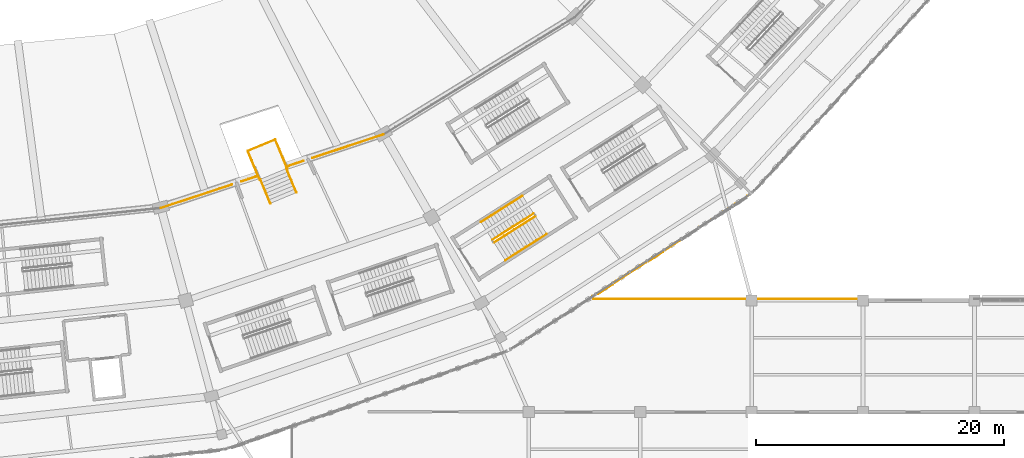
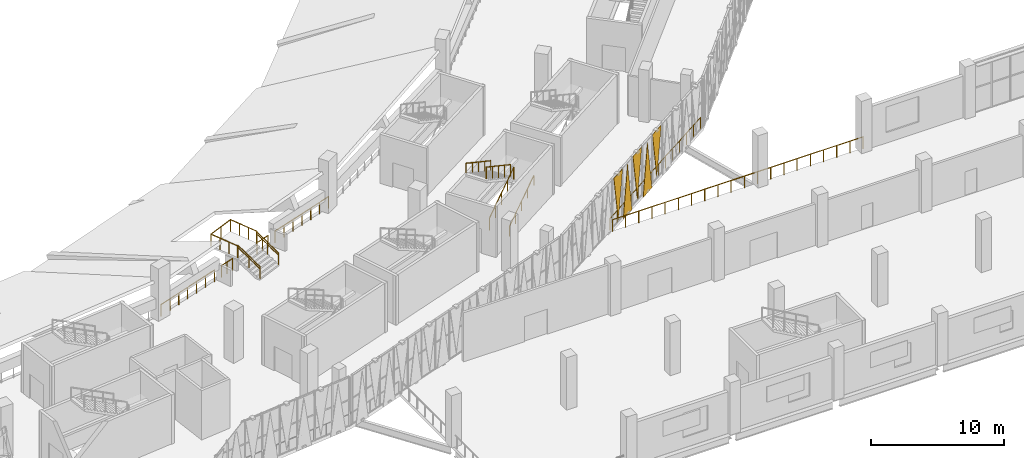
# One storey, part 146 of 183: 17 railings, 5 coverings.
"""IFC4 building model written with IfcOpenShell, lengths in metres."""

from ifc_helpers import new_model, si_unit, direction, frame, origin, origin_2d, place, context, subcontext, project, spatial, polyline, circle, outline, extrude, material, layer, layer_set, type_object, element, save


model = new_model("IFC4")

# Units and contexts
model_context = context("Model", 3, precision=1e-05, world=origin(), true_north=direction((0.0, 1.0)))
body_context = subcontext(model_context, "Body", "Model", "MODEL_VIEW")
ifc_project = project(units=[si_unit("LENGTHUNIT", "METRE"), si_unit("AREAUNIT", "SQUARE_METRE"), si_unit("VOLUMEUNIT", "CUBIC_METRE"), si_unit("PLANEANGLEUNIT", "RADIAN"), si_unit("MASSUNIT", "GRAM", prefix="KILO")], contexts=[model_context])

# Site, building, storey
site_placement = place(None, origin())
site = spatial("IfcSite", under=ifc_project, at=site_placement, CompositionType="ELEMENT")
building_placement = place(site_placement, origin())
building = spatial("IfcBuilding", under=site, at=building_placement, Name="Zevraka Park Crest Stadium", CompositionType="ELEMENT")
storey_placement = place(building_placement, frame((0.0, 0.0, 5.39990234375)))
storey = spatial("IfcBuildingStorey", under=building, at=storey_placement, Name="L01", CompositionType="ELEMENT", Elevation=5.39990234375)

# Coverings
ifc_material_1 = material(Name="Architectural golden-bronze perforated aluminium", Category="aluminium")
ifc_layer = layer(ifc_material_1, 0.034912109375)
ifc_layer_set = layer_set([ifc_layer], Name="Architectural golden-bronze perforated aluminium")
covering_type = type_object("IfcCoveringType", Name="CLD01", PredefinedType="CLADDING", material=ifc_layer_set)
covering_1_placement = place(storey_placement, frame((167.801025390625, 28.318115234375, 4.5), z_axis=(-0.543034219185, 0.839710563435, 8.0313977e-05), x_axis=(-0.839710566143, -0.543034220936, 0.0)))
element("IfcCovering", 1, at=covering_1_placement, inside=storey, type_object=covering_type, Name="Triangular Golden-Bronze Perforated Cladding L01-20-6", PredefinedType="CLADDING", context=body_context, shape_type="SweptSolid", body=[
    extrude(outline(polyline([(0.0, 0.0), (1.445868823232424, 0.0), (0.7225667544568017, -4.2797851700530245), (0.0, 0.0)])), origin(), (0.0, 0.0, -1.0), 0.034912109375),
])
covering_2_placement = place(storey_placement, frame((167.93603515625, 28.404052734375, -0.260009765625), z_axis=(0.542992141789, -0.83973776951, 0.000111418343), x_axis=(0.839737774722, 0.542992145159, 0.0)))
element("IfcCovering", 2, at=covering_2_placement, inside=storey, type_object=covering_type, Name="Triangular Golden-Bronze Perforated Cladding L01-20-7", PredefinedType="CLADDING", context=body_context, shape_type="SweptSolid", body=[
    extrude(outline(polyline([(0.0, 0.0), (1.4455312408705225, 1.3552527156068805e-20), (0.7230970365394844, 4.600097684802916), (0.0, 0.0)])), origin(), (0.0, 0.0, -1.0), 0.034912109375),
])
covering_3_placement = place(storey_placement, frame((170.498046875, 30.06005859375, 4.5), z_axis=(0.543034217573, -0.839710560943, 0.000111291399), x_axis=(-0.839710566143, -0.543034220936, 0.0)))
element("IfcCovering", 3, at=covering_3_placement, inside=storey, type_object=covering_type, Name="Triangular Golden-Bronze Perforated Cladding L01-20-8", PredefinedType="CLADDING", context=body_context, shape_type="SweptSolid", body=[
    extrude(outline(polyline([(0.0, 0.0), (1.445868823232424, 0.0), (0.7230970613131847, 4.27978518275423), (0.0, 0.0)])), origin(), (0.0, 0.0, -1.0), 0.034912109375),
])
covering_4_placement = place(storey_placement, frame((170.633056640625, 30.14599609375, -0.260009765625), z_axis=(-0.542992143946, 0.839737772846, 6.6851006e-05), x_axis=(0.839737774722, 0.542992145159, 0.0)))
element("IfcCovering", 4, at=covering_4_placement, inside=storey, type_object=covering_type, Name="Triangular Golden-Bronze Perforated Cladding L01-20-9", PredefinedType="CLADDING", context=body_context, shape_type="SweptSolid", body=[
    extrude(outline(polyline([(0.0, 0.0), (1.4455312408705225, 0.0), (0.7225667707727274, -4.6000976665290505), (0.0, 0.0)])), origin(), (0.0, 0.0, -1.0), 0.034912109375),
])
covering_5_placement = place(storey_placement, frame((173.195068359375, 31.802001953125, 4.5), z_axis=(0.54291514037, -0.839787556161, 0.000104279026), x_axis=(-0.839787560727, -0.542915143322, 0.0)))
element("IfcCovering", 5, at=covering_5_placement, inside=storey, type_object=covering_type, Name="Triangular Golden-Bronze Perforated Cladding L01-20-10", PredefinedType="CLADDING", context=body_context, shape_type="SweptSolid", body=[
    extrude(outline(polyline([(0.0, 0.0), (1.4457362610535034, 1.3552527156068805e-20), (0.7233020127627544, 4.279785179519439), (0.0, 0.0)])), origin(), (0.0, 0.0, -1.0), 0.034912109375),
])

# Railings
ifc_material_2 = material(Name="Galvanised and bronze-finished steel balustrade", Category="steel")
railing_type_1 = type_object("IfcRailingType", Name="GR01", PredefinedType="GUARDRAIL", material=ifc_material_2)
railing_1_placement = place(storey_placement, frame((178.674072265625, 35.424072265625, 0.0)))
element("IfcRailing", 6, at=railing_1_placement, inside=storey, type_object=railing_type_1, Name="Deck Edge Protection Guardrail GR01 L01-25", PredefinedType="GUARDRAIL", context=body_context, shape_type="SweptSolid", body=[
    extrude(circle(Radius=0.02392578125, at=origin_2d()), frame((0.0, 0.0, 1.076171875), z_axis=(-0.839998748488, -0.542588336162, 0.0), x_axis=(0.542588336162, -0.839998748488, 0.0)), (0.0, 0.0, 1.0), 14.891845703125),
    extrude(circle(Radius=0.02099609375, at=origin_2d()), origin(), (0.0, 0.0, 1.0), 1.052001953125),
    extrude(circle(Radius=0.02099609375, at=origin_2d()), frame((-0.962158203125, -0.62158203125, 0.0)), (0.0, 0.0, 1.0), 1.052001953125),
    extrude(circle(Radius=0.02099609375, at=origin_2d()), frame((-1.924560546875, -1.2431640625, 0.0)), (0.0, 0.0, 1.0), 1.052001953125),
    extrude(circle(Radius=0.02099609375, at=origin_2d()), frame((-2.88671875, -1.86474609375, 0.0)), (0.0, 0.0, 1.0), 1.052001953125),
    extrude(circle(Radius=0.02099609375, at=origin_2d()), frame((-3.848876953125, -2.486083984375, 0.0)), (0.0, 0.0, 1.0), 1.052001953125),
    extrude(circle(Radius=0.02099609375, at=origin_2d()), frame((-4.811279296875, -3.107666015625, 0.0)), (0.0, 0.0, 1.0), 1.052001953125),
    extrude(circle(Radius=0.02099609375, at=origin_2d()), frame((-5.7734375, -3.729248046875, 0.0)), (0.0, 0.0, 1.0), 1.052001953125),
    extrude(circle(Radius=0.02099609375, at=origin_2d()), frame((-6.735595703125, -4.350830078125, 0.0)), (0.0, 0.0, 1.0), 1.052001953125),
    extrude(circle(Radius=0.02099609375, at=origin_2d()), frame((-7.69775390625, -4.972412109375, 0.0)), (0.0, 0.0, 1.0), 1.052001953125),
    extrude(circle(Radius=0.02099609375, at=origin_2d()), frame((-8.66015625, -5.593994140625, 0.0)), (0.0, 0.0, 1.0), 1.052001953125),
    extrude(circle(Radius=0.02099609375, at=origin_2d()), frame((-9.622314453125, -6.21533203125, 0.0)), (0.0, 0.0, 1.0), 1.052001953125),
    extrude(circle(Radius=0.02099609375, at=origin_2d()), frame((-10.58447265625, -6.8369140625, 0.0)), (0.0, 0.0, 1.0), 1.052001953125),
    extrude(circle(Radius=0.02099609375, at=origin_2d()), frame((-11.546875, -7.45849609375, 0.0)), (0.0, 0.0, 1.0), 1.052001953125),
    extrude(circle(Radius=0.02099609375, at=origin_2d()), frame((-12.509033203125, -8.080078125, 0.0)), (0.0, 0.0, 1.0), 1.052001953125),
])
railing_2_placement = place(storey_placement, frame((166.236083984375, 27.10498046875, 0.0)))
element("IfcRailing", 7, at=railing_2_placement, inside=storey, type_object=railing_type_1, Name="Deck Edge Protection Guardrail GR01 L01-26", PredefinedType="GUARDRAIL", context=body_context, shape_type="SweptSolid", body=[
    extrude(circle(Radius=0.02392578125, at=origin_2d()), frame((0.0, 0.0, 1.076171875), z_axis=(1.0, 0.0, 0.0), x_axis=(0.0, 1.0, 0.0)), (0.0, 0.0, 1.0), 21.77294921875),
    extrude(circle(Radius=0.02099609375, at=origin_2d()), origin(), (0.0, 0.0, 1.0), 1.052001953125),
    extrude(circle(Radius=0.02099609375, at=origin_2d()), frame((1.14599609375, 0.0, 0.0)), (0.0, 0.0, 1.0), 1.052001953125),
    extrude(circle(Radius=0.02099609375, at=origin_2d()), frame((2.2919921875, 0.0, 0.0)), (0.0, 0.0, 1.0), 1.052001953125),
    extrude(circle(Radius=0.02099609375, at=origin_2d()), frame((3.437744140625, 0.0, 0.0)), (0.0, 0.0, 1.0), 1.052001953125),
    extrude(circle(Radius=0.02099609375, at=origin_2d()), frame((4.583740234375, 0.0, 0.0)), (0.0, 0.0, 1.0), 1.052001953125),
    extrude(circle(Radius=0.02099609375, at=origin_2d()), frame((5.729736328125, 0.0, 0.0)), (0.0, 0.0, 1.0), 1.052001953125),
    extrude(circle(Radius=0.02099609375, at=origin_2d()), frame((6.875732421875, 0.0, 0.0)), (0.0, 0.0, 1.0), 1.052001953125),
    extrude(circle(Radius=0.02099609375, at=origin_2d()), frame((8.021728515625, 0.0, 0.0)), (0.0, 0.0, 1.0), 1.052001953125),
    extrude(circle(Radius=0.02099609375, at=origin_2d()), frame((9.16748046875, 0.0, 0.0)), (0.0, 0.0, 1.0), 1.052001953125),
    extrude(circle(Radius=0.02099609375, at=origin_2d()), frame((10.3134765625, 0.0, 0.0)), (0.0, 0.0, 1.0), 1.052001953125),
    extrude(circle(Radius=0.02099609375, at=origin_2d()), frame((11.45947265625, 0.0, 0.0)), (0.0, 0.0, 1.0), 1.052001953125),
    extrude(circle(Radius=0.02099609375, at=origin_2d()), frame((12.60546875, 0.0, 0.0)), (0.0, 0.0, 1.0), 1.052001953125),
    extrude(circle(Radius=0.02099609375, at=origin_2d()), frame((13.751220703125, 0.0, 0.0)), (0.0, 0.0, 1.0), 1.052001953125),
    extrude(circle(Radius=0.02099609375, at=origin_2d()), frame((14.897216796875, 0.0, 0.0)), (0.0, 0.0, 1.0), 1.052001953125),
    extrude(circle(Radius=0.02099609375, at=origin_2d()), frame((16.043212890625, 0.0, 0.0)), (0.0, 0.0, 1.0), 1.052001953125),
    extrude(circle(Radius=0.02099609375, at=origin_2d()), frame((17.189208984375, 0.0, 0.0)), (0.0, 0.0, 1.0), 1.052001953125),
    extrude(circle(Radius=0.02099609375, at=origin_2d()), frame((18.335205078125, 0.0, 0.0)), (0.0, 0.0, 1.0), 1.052001953125),
    extrude(circle(Radius=0.02099609375, at=origin_2d()), frame((19.48095703125, 0.0, 0.0)), (0.0, 0.0, 1.0), 1.052001953125),
    extrude(circle(Radius=0.02099609375, at=origin_2d()), frame((20.626953125, 0.0, 0.0)), (0.0, 0.0, 1.0), 1.052001953125),
    extrude(circle(Radius=0.02099609375, at=origin_2d()), frame((21.77294921875, 0.0, 0.0)), (0.0, 0.0, 1.0), 1.052001953125),
])
railing_3_placement = place(storey_placement, frame((131.287109375, 34.45703125, 0.0)))
element("IfcRailing", 8, at=railing_3_placement, inside=storey, type_object=railing_type_1, Name="Deck Edge Protection Guardrail GR01 L01-65", PredefinedType="GUARDRAIL", context=body_context, shape_type="SweptSolid", body=[
    extrude(circle(Radius=0.02392578125, at=origin_2d()), frame((0.0, 0.0, 1.076171875), z_axis=(0.949481418616, 0.313823255517, 0.0), x_axis=(-0.313823255517, 0.949481418616, 0.0)), (0.0, 0.0, 1.0), 6.064208984375),
    extrude(circle(Radius=0.02099609375, at=origin_2d()), origin(), (0.0, 0.0, 1.0), 1.052001953125),
    extrude(circle(Radius=0.02099609375, at=origin_2d()), frame((0.959716796875, 0.317138671875, 0.0)), (0.0, 0.0, 1.0), 1.052001953125),
    extrude(circle(Radius=0.02099609375, at=origin_2d()), frame((1.919189453125, 0.63427734375, 0.0)), (0.0, 0.0, 1.0), 1.052001953125),
    extrude(circle(Radius=0.02099609375, at=origin_2d()), frame((2.87890625, 0.95166015625, 0.0)), (0.0, 0.0, 1.0), 1.052001953125),
    extrude(circle(Radius=0.02099609375, at=origin_2d()), frame((3.838623046875, 1.268798828125, 0.0)), (0.0, 0.0, 1.0), 1.052001953125),
    extrude(circle(Radius=0.02099609375, at=origin_2d()), frame((4.798095703125, 1.5859375, 0.0)), (0.0, 0.0, 1.0), 1.052001953125),
    extrude(circle(Radius=0.02099609375, at=origin_2d()), frame((5.7578125, 1.903076171875, 0.0)), (0.0, 0.0, 1.0), 1.052001953125),
])
railing_4_placement = place(storey_placement, frame((137.785888671875, 36.60498046875, 0.0)))
element("IfcRailing", 9, at=railing_4_placement, inside=storey, type_object=railing_type_1, Name="Deck Edge Protection Guardrail GR01 L01-66", PredefinedType="GUARDRAIL", context=body_context, shape_type="SweptSolid", body=[
    extrude(circle(Radius=0.02392578125, at=origin_2d()), frame((0.0, 0.0, 1.076171875), z_axis=(0.94950930185, 0.313738881397, 0.0), x_axis=(-0.313738881397, 0.94950930185, 0.0)), (0.0, 0.0, 1.0), 1.236572265625),
    extrude(circle(Radius=0.02099609375, at=origin_2d()), origin(), (0.0, 0.0, 1.0), 1.052001953125),
    extrude(circle(Radius=0.02099609375, at=origin_2d()), frame((0.5869140625, 0.19384765625, 0.0)), (0.0, 0.0, 1.0), 1.052001953125),
    extrude(circle(Radius=0.02099609375, at=origin_2d()), frame((1.174072265625, 0.387939453125, 0.0)), (0.0, 0.0, 1.0), 1.052001953125),
])
railing_5_placement = place(storey_placement, frame((141.625, 37.875, 0.0)))
element("IfcRailing", 10, at=railing_5_placement, inside=storey, type_object=railing_type_1, Name="Deck Edge Protection Guardrail GR01 L01-67", PredefinedType="GUARDRAIL", context=body_context, shape_type="SweptSolid", body=[
    extrude(circle(Radius=0.02392578125, at=origin_2d()), frame((0.0, 0.0, 1.076171875), z_axis=(0.94943147493, 0.313974321262, 0.0), x_axis=(-0.313974321262, 0.94943147493, 0.0)), (0.0, 0.0, 1.0), 1.235595703125),
    extrude(circle(Radius=0.02099609375, at=origin_2d()), origin(), (0.0, 0.0, 1.0), 1.052001953125),
    extrude(circle(Radius=0.02099609375, at=origin_2d()), frame((0.58642578125, 0.19384765625, 0.0)), (0.0, 0.0, 1.0), 1.052001953125),
    extrude(circle(Radius=0.02099609375, at=origin_2d()), frame((1.173095703125, 0.387939453125, 0.0)), (0.0, 0.0, 1.0), 1.052001953125),
])
railing_6_placement = place(storey_placement, frame((143.54296875, 38.509033203125, 0.0)))
element("IfcRailing", 11, at=railing_6_placement, inside=storey, type_object=railing_type_1, Name="Deck Edge Protection Guardrail GR01 L01-68", PredefinedType="GUARDRAIL", context=body_context, shape_type="SweptSolid", body=[
    extrude(circle(Radius=0.02392578125, at=origin_2d()), frame((0.0, 0.0, 1.076171875), z_axis=(0.949242415269, 0.314545445134, 0.0), x_axis=(-0.314545445134, 0.949242415269, 0.0)), (0.0, 0.0, 1.0), 6.053466796875),
    extrude(circle(Radius=0.02099609375, at=origin_2d()), origin(), (0.0, 0.0, 1.0), 1.052001953125),
    extrude(circle(Radius=0.02099609375, at=origin_2d()), frame((0.957763671875, 0.3173828125, 0.0)), (0.0, 0.0, 1.0), 1.052001953125),
    extrude(circle(Radius=0.02099609375, at=origin_2d()), frame((1.915283203125, 0.634765625, 0.0)), (0.0, 0.0, 1.0), 1.052001953125),
    extrude(circle(Radius=0.02099609375, at=origin_2d()), frame((2.873046875, 0.9521484375, 0.0)), (0.0, 0.0, 1.0), 1.052001953125),
    extrude(circle(Radius=0.02099609375, at=origin_2d()), frame((3.830810546875, 1.269287109375, 0.0)), (0.0, 0.0, 1.0), 1.052001953125),
    extrude(circle(Radius=0.02099609375, at=origin_2d()), frame((4.788330078125, 1.586669921875, 0.0)), (0.0, 0.0, 1.0), 1.052001953125),
    extrude(circle(Radius=0.02099609375, at=origin_2d()), frame((5.74609375, 1.904052734375, 0.0)), (0.0, 0.0, 1.0), 1.052001953125),
])
ifc_material_3 = material(Name="Powder-coated tubular steel stairwell guard", Category="steel")
railing_type_2 = type_object("IfcRailingType", Name="GR03", PredefinedType="GUARDRAIL", material=ifc_material_3)
railing_7_placement = place(storey_placement, frame((158.194580078125, 31.675048828125, 0.171630859375)))
element("IfcRailing", 12, at=railing_7_placement, inside=storey, type_object=railing_type_2, Name="L01 ST21 stair guard 1", PredefinedType="GUARDRAIL", context=body_context, shape_type="SweptSolid", body=[
    extrude(circle(Radius=0.02392578125, at=origin_2d()), frame((0.0, 0.0, 1.076171875), z_axis=(0.736092217986, 0.467002282249, 0.489976647398), x_axis=(-0.535715535947, 0.844398522349, 0.0)), (0.0, 0.0, 1.0), 4.548095703125),
    extrude(circle(Radius=0.02099609375, at=origin_2d()), origin(), (0.0, 0.0, 1.0), 1.052001953125),
    extrude(circle(Radius=0.02099609375, at=origin_2d()), frame((0.8369140625, 0.531005859375, 0.55712890625)), (0.0, 0.0, 1.0), 1.052001953125),
    extrude(circle(Radius=0.02099609375, at=origin_2d()), frame((1.673828125, 1.06201171875, 1.1142578125)), (0.0, 0.0, 1.0), 1.052001953125),
    extrude(circle(Radius=0.02099609375, at=origin_2d()), frame((2.510986328125, 1.593017578125, 1.67138671875)), (0.0, 0.0, 1.0), 1.052001953125),
    extrude(circle(Radius=0.02099609375, at=origin_2d()), frame((3.347900390625, 2.1240234375, 2.228515625)), (0.0, 0.0, 1.0), 1.052001953125),
])
railing_8_placement = place(storey_placement, frame((161.4033203125, 34.0185546875, 2.571533203125)))
element("IfcRailing", 13, at=railing_8_placement, inside=storey, type_object=railing_type_2, Name="L01 ST21 stair guard 3", PredefinedType="GUARDRAIL", context=body_context, shape_type="SweptSolid", body=[
    extrude(circle(Radius=0.02392578125, at=origin_2d()), frame((0.0, 0.0, 1.076171875), z_axis=(-0.736116810277, -0.466983830349, 0.48995728775), x_axis=(0.535687682518, -0.84441619288, 0.0)), (0.0, 0.0, 1.0), 4.54833984375),
    extrude(circle(Radius=0.02099609375, at=origin_2d()), origin(), (0.0, 0.0, 1.0), 1.052001953125),
    extrude(circle(Radius=0.02099609375, at=origin_2d()), frame((-0.8369140625, -0.531005859375, 0.55712890625)), (0.0, 0.0, 1.0), 1.052001953125),
    extrude(circle(Radius=0.02099609375, at=origin_2d()), frame((-1.674072265625, -1.06201171875, 1.1142578125)), (0.0, 0.0, 1.0), 1.052001953125),
    extrude(circle(Radius=0.02099609375, at=origin_2d()), frame((-2.51123046875, -1.593017578125, 1.67138671875)), (0.0, 0.0, 1.0), 1.052001953125),
    extrude(circle(Radius=0.02099609375, at=origin_2d()), frame((-3.34814453125, -2.1240234375, 2.228515625)), (0.0, 0.0, 1.0), 1.052001953125),
])
railing_9_placement = place(storey_placement, frame((142.237060546875, 35.718017578125, 0.150146484375)))
element("IfcRailing", 14, at=railing_9_placement, inside=storey, type_object=railing_type_2, Name="Vomitory Flight Guard VS-07-1", PredefinedType="GUARDRAIL", context=body_context, shape_type="SweptSolid", body=[
    extrude(circle(Radius=0.02392578125, at=origin_2d()), frame((0.0, 0.0, 1.076171875), z_axis=(-0.342057079019, 0.826386606837, 0.447305411025), x_axis=(-0.923975744762, -0.382451072807, 0.0)), (0.0, 0.0, 1.0), 2.347412109375),
    extrude(circle(Radius=0.02099609375, at=origin_2d()), origin(), (0.0, 0.0, 1.0), 1.052001953125),
    extrude(circle(Radius=0.02099609375, at=origin_2d()), frame((-0.4013671875, 0.969970703125, 0.52490234375)), (0.0, 0.0, 1.0), 1.052001953125),
    extrude(circle(Radius=0.02099609375, at=origin_2d()), frame((-0.802978515625, 1.93994140625, 1.050048828125)), (0.0, 0.0, 1.0), 1.052001953125),
])
railing_10_placement = place(storey_placement, frame((140.131103515625, 34.845947265625, 0.150146484375)))
element("IfcRailing", 15, at=railing_10_placement, inside=storey, type_object=railing_type_2, Name="Vomitory Flight Guard VS-07-2", PredefinedType="GUARDRAIL", context=body_context, shape_type="SweptSolid", body=[
    extrude(circle(Radius=0.02392578125, at=origin_2d()), frame((0.0, 0.0, 1.076171875), z_axis=(-0.342516116352, 0.826239544789, 0.447225809481), x_axis=(-0.92377020137, -0.382947274517, 0.0)), (0.0, 0.0, 1.0), 2.347900390625),
    extrude(circle(Radius=0.02099609375, at=origin_2d()), origin(), (0.0, 0.0, 1.0), 1.052001953125),
    extrude(circle(Radius=0.02099609375, at=origin_2d()), frame((-0.402099609375, 0.969970703125, 0.52490234375)), (0.0, 0.0, 1.0), 1.052001953125),
    extrude(circle(Radius=0.02099609375, at=origin_2d()), frame((-0.80419921875, 1.93994140625, 1.050048828125)), (0.0, 0.0, 1.0), 1.052001953125),
])
railing_11_placement = place(storey_placement, frame((141.4990234375, 37.657958984375, 1.2001953125)))
element("IfcRailing", 16, at=railing_11_placement, inside=storey, type_object=railing_type_2, Name="Vomitory Landing Guard VS-07-1", PredefinedType="GUARDRAIL", context=body_context, shape_type="SweptSolid", body=[
    extrude(circle(Radius=0.02392578125, at=origin_2d()), frame((0.0, 0.0, 1.076171875), z_axis=(-0.382912412057, 0.923784652769, 0.0), x_axis=(-0.923784652769, -0.382912412057, 0.0)), (0.0, 0.0, 1.0), 2.525390625),
    extrude(circle(Radius=0.02099609375, at=origin_2d()), origin(), (0.0, 0.0, 1.0), 1.052001953125),
    extrude(circle(Radius=0.02099609375, at=origin_2d()), frame((-0.322265625, 0.777587890625, 0.0)), (0.0, 0.0, 1.0), 1.052001953125),
    extrude(circle(Radius=0.02099609375, at=origin_2d()), frame((-0.644775390625, 1.555419921875, 0.0)), (0.0, 0.0, 1.0), 1.052001953125),
    extrude(circle(Radius=0.02099609375, at=origin_2d()), frame((-0.967041015625, 2.3330078125, 0.0)), (0.0, 0.0, 1.0), 1.052001953125),
])
railing_12_placement = place(storey_placement, frame((140.531982421875, 39.990966796875, 1.2001953125)))
element("IfcRailing", 17, at=railing_12_placement, inside=storey, type_object=railing_type_2, Name="Vomitory Landing Guard VS-07-2", PredefinedType="GUARDRAIL", context=body_context, shape_type="SweptSolid", body=[
    extrude(circle(Radius=0.02392578125, at=origin_2d()), frame((0.0, 0.0, 1.076171875), z_axis=(-0.923932522988, -0.382555476978, 0.0), x_axis=(0.382555476978, -0.923932522988, 0.0)), (0.0, 0.0, 1.0), 2.399658203125),
    extrude(circle(Radius=0.02099609375, at=origin_2d()), origin(), (0.0, 0.0, 1.0), 1.052001953125),
    extrude(circle(Radius=0.02099609375, at=origin_2d()), frame((-1.1083984375, -0.458984375, 0.0)), (0.0, 0.0, 1.0), 1.052001953125),
    extrude(circle(Radius=0.02099609375, at=origin_2d()), frame((-2.217041015625, -0.91796875, 0.0)), (0.0, 0.0, 1.0), 1.052001953125),
])
railing_13_placement = place(storey_placement, frame((138.31494140625, 39.072998046875, 1.2001953125)))
element("IfcRailing", 18, at=railing_13_placement, inside=storey, type_object=railing_type_2, Name="Vomitory Landing Guard VS-07-3", PredefinedType="GUARDRAIL", context=body_context, shape_type="SweptSolid", body=[
    extrude(circle(Radius=0.02392578125, at=origin_2d()), frame((0.0, 0.0, 1.076171875), z_axis=(0.382582352346, -0.923921394748, 0.0), x_axis=(0.923921394748, 0.382582352346, 0.0)), (0.0, 0.0, 1.0), 2.525146484375),
    extrude(circle(Radius=0.02099609375, at=origin_2d()), origin(), (0.0, 0.0, 1.0), 1.052001953125),
    extrude(circle(Radius=0.02099609375, at=origin_2d()), frame((0.322021484375, -0.777587890625, 0.0)), (0.0, 0.0, 1.0), 1.052001953125),
    extrude(circle(Radius=0.02099609375, at=origin_2d()), frame((0.64404296875, -1.555419921875, 0.0)), (0.0, 0.0, 1.0), 1.052001953125),
    extrude(circle(Radius=0.02099609375, at=origin_2d()), frame((0.966064453125, -2.3330078125, 0.0)), (0.0, 0.0, 1.0), 1.052001953125),
])
ifc_material_4 = material(Name="Brushed stainless steel continuous handrail", Category="steel")
railing_type_3 = type_object("IfcRailingType", Name="HR01", PredefinedType="HANDRAIL", material=ifc_material_4)
railing_14_placement = place(storey_placement, frame((159.105224609375, 30.239501953125, 0.171630859375)))
element("IfcRailing", 19, at=railing_14_placement, inside=storey, type_object=railing_type_3, Name="L01 ST21 stair handrail 1", PredefinedType="HANDRAIL", context=body_context, shape_type="SweptSolid", body=[
    extrude(circle(Radius=0.02392578125, at=origin_2d()), frame((0.0, 0.0, 0.8759765625), z_axis=(0.736092217986, 0.467002282249, 0.489976647398), x_axis=(-0.535715535947, 0.844398522349, 0.0)), (0.0, 0.0, 1.0), 4.548095703125),
    extrude(circle(Radius=0.02099609375, at=origin_2d()), origin(), (0.0, 0.0, 1.0), 0.851806640625),
    extrude(circle(Radius=0.02099609375, at=origin_2d()), frame((0.8369140625, 0.531005859375, 0.55712890625)), (0.0, 0.0, 1.0), 0.851806640625),
    extrude(circle(Radius=0.02099609375, at=origin_2d()), frame((1.673828125, 1.06201171875, 1.1142578125)), (0.0, 0.0, 1.0), 0.851806640625),
    extrude(circle(Radius=0.02099609375, at=origin_2d()), frame((2.510986328125, 1.593017578125, 1.67138671875)), (0.0, 0.0, 1.0), 0.851806640625),
    extrude(circle(Radius=0.02099609375, at=origin_2d()), frame((3.347900390625, 2.1240234375, 2.228515625)), (0.0, 0.0, 1.0), 0.851806640625),
])
railing_15_placement = place(storey_placement, frame((160.492431640625, 35.4541015625, 2.571533203125)))
element("IfcRailing", 20, at=railing_15_placement, inside=storey, type_object=railing_type_3, Name="L01 ST21 stair handrail 2", PredefinedType="HANDRAIL", context=body_context, shape_type="SweptSolid", body=[
    extrude(circle(Radius=0.02392578125, at=origin_2d()), frame((0.0, 0.0, 0.8759765625), z_axis=(-0.736092217986, -0.467002282249, 0.489976647398), x_axis=(0.535715535947, -0.844398522349, 0.0)), (0.0, 0.0, 1.0), 4.548095703125),
    extrude(circle(Radius=0.02099609375, at=origin_2d()), origin(), (0.0, 0.0, 1.0), 0.851806640625),
    extrude(circle(Radius=0.02099609375, at=origin_2d()), frame((-0.8369140625, -0.531005859375, 0.55712890625)), (0.0, 0.0, 1.0), 0.851806640625),
    extrude(circle(Radius=0.02099609375, at=origin_2d()), frame((-1.673828125, -1.06201171875, 1.1142578125)), (0.0, 0.0, 1.0), 0.851806640625),
    extrude(circle(Radius=0.02099609375, at=origin_2d()), frame((-2.510986328125, -1.593017578125, 1.67138671875)), (0.0, 0.0, 1.0), 0.851806640625),
    extrude(circle(Radius=0.02099609375, at=origin_2d()), frame((-3.347900390625, -2.1240234375, 2.228515625)), (0.0, 0.0, 1.0), 0.851806640625),
])
railing_16_placement = place(storey_placement, frame((142.237060546875, 35.718017578125, 0.150146484375)))
element("IfcRailing", 21, at=railing_16_placement, inside=storey, type_object=railing_type_3, Name="Vomitory Handrail VS-07-1", PredefinedType="HANDRAIL", context=body_context, shape_type="SweptSolid", body=[
    extrude(circle(Radius=0.02392578125, at=origin_2d()), frame((0.0, 0.0, 0.8759765625), z_axis=(-0.342057079019, 0.826386606837, 0.447305411025), x_axis=(-0.923975744762, -0.382451072807, 0.0)), (0.0, 0.0, 1.0), 2.347412109375),
    extrude(circle(Radius=0.02099609375, at=origin_2d()), origin(), (0.0, 0.0, 1.0), 0.851806640625),
    extrude(circle(Radius=0.02099609375, at=origin_2d()), frame((-0.4013671875, 0.969970703125, 0.52490234375)), (0.0, 0.0, 1.0), 0.851806640625),
    extrude(circle(Radius=0.02099609375, at=origin_2d()), frame((-0.802978515625, 1.93994140625, 1.050048828125)), (0.0, 0.0, 1.0), 0.851806640625),
])
railing_17_placement = place(storey_placement, frame((140.131103515625, 34.845947265625, 0.150146484375)))
element("IfcRailing", 22, at=railing_17_placement, inside=storey, type_object=railing_type_3, Name="Vomitory Handrail VS-07-2", PredefinedType="HANDRAIL", context=body_context, shape_type="SweptSolid", body=[
    extrude(circle(Radius=0.02392578125, at=origin_2d()), frame((0.0, 0.0, 0.8759765625), z_axis=(-0.342516116352, 0.826239544789, 0.447225809481), x_axis=(-0.92377020137, -0.382947274517, 0.0)), (0.0, 0.0, 1.0), 2.347900390625),
    extrude(circle(Radius=0.02099609375, at=origin_2d()), origin(), (0.0, 0.0, 1.0), 0.851806640625),
    extrude(circle(Radius=0.02099609375, at=origin_2d()), frame((-0.402099609375, 0.969970703125, 0.52490234375)), (0.0, 0.0, 1.0), 0.851806640625),
    extrude(circle(Radius=0.02099609375, at=origin_2d()), frame((-0.80419921875, 1.93994140625, 1.050048828125)), (0.0, 0.0, 1.0), 0.851806640625),
])

save(model, "model.ifc")
